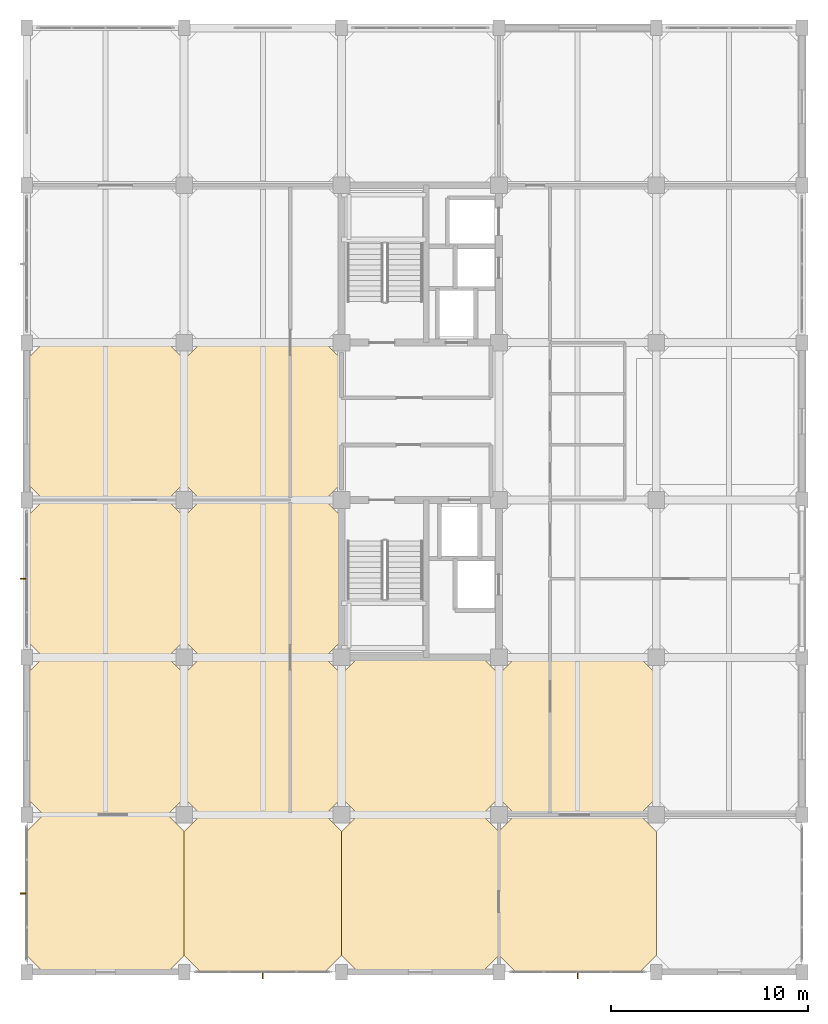
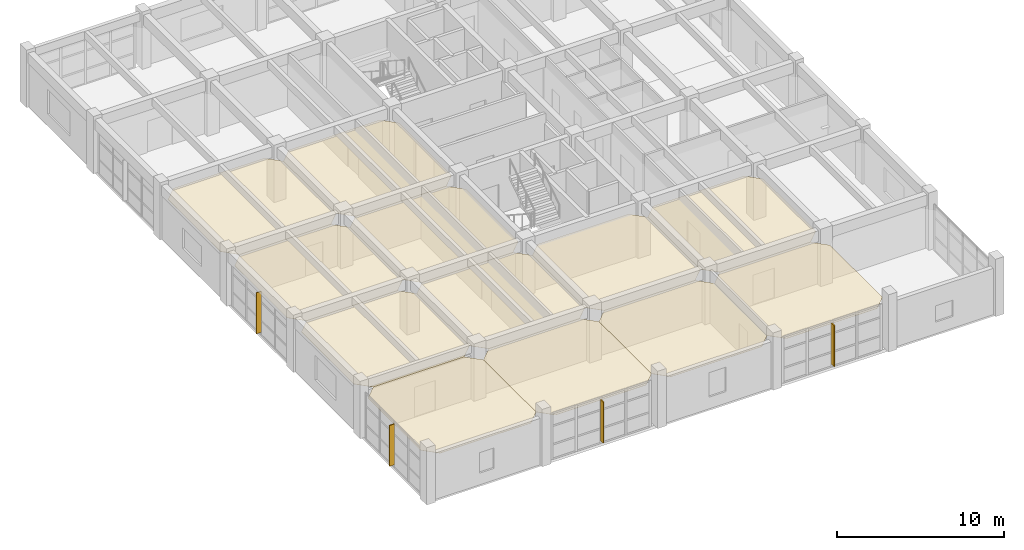
# One storey, part 24 of 27: 12 coverings, 4 shading devices.
"""IFC4 building model written with IfcOpenShell, lengths in metres."""

from ifc_helpers import new_model, si_unit, direction, frame, origin, origin_2d, place, context, subcontext, project, spatial, polyline, rectangle, outline, extrude, material, layer, layer_set, type_object, element, save


model = new_model("IFC4")

# Units and contexts
model_context = context("Model", 3, precision=1e-05, world=origin(), true_north=direction((0.0, 1.0)))
body_context = subcontext(model_context, "Body", "Model", "MODEL_VIEW")
ifc_project = project(units=[si_unit("LENGTHUNIT", "METRE"), si_unit("AREAUNIT", "SQUARE_METRE"), si_unit("VOLUMEUNIT", "CUBIC_METRE"), si_unit("PLANEANGLEUNIT", "RADIAN"), si_unit("MASSUNIT", "GRAM", prefix="KILO")], contexts=[model_context])

# Site, building, storey
site_placement = place(None, origin())
site = spatial("IfcSite", under=ifc_project, at=site_placement, CompositionType="ELEMENT")
building_placement = place(site_placement, origin())
building = spatial("IfcBuilding", under=site, at=building_placement, Name="Canggui Botanical Conservatory", CompositionType="ELEMENT")
storey_placement = place(building_placement, frame((0.0, 0.0, 23.39990234375)))
storey = spatial("IfcBuildingStorey", under=building, at=storey_placement, Name="L06", CompositionType="ELEMENT", Elevation=23.39990234375)

# Coverings
ifc_material_1 = material(Name="Mineral Fibre Acoustic Board")
ifc_layer_1 = layer(ifc_material_1, 0.014892578125, Name="Mineral Fibre Acoustic Board")
ifc_layer_set_1 = layer_set([ifc_layer_1], Name="Mineral Fibre Acoustic Board")
covering_type_1 = type_object("IfcCoveringType", Name="COV-CEIL-15", PredefinedType="CEILING", material=ifc_layer_set_1)
covering_1_placement = place(storey_placement, frame((0.0, 0.0, 3.14501953125)))
element("IfcCovering", 1, at=covering_1_placement, inside=storey, type_object=covering_type_1, Name="Suspended Acoustic Ceiling L06-138-26", PredefinedType="CEILING", context=body_context, shape_type="SweptSolid", body=[
    extrude(outline(polyline([(138.85009765625, 26.0), (145.14990234375, 26.0), (146.0, 26.85009765625), (146.0, 33.14990234375), (145.14990234375, 34.0), (138.85009765625, 34.0), (138.0, 33.14990234375), (138.0, 26.85009765625), (138.85009765625, 26.0)])), origin(), (0.0, 0.0, 1.0), 0.01513671875),
])
covering_2_placement = place(storey_placement, frame((0.0, 0.0, 3.14501953125)))
element("IfcCovering", 2, at=covering_2_placement, inside=storey, type_object=covering_type_1, Name="Suspended Acoustic Ceiling L06-138-42", PredefinedType="CEILING", context=body_context, shape_type="SweptSolid", body=[
    extrude(outline(polyline([(138.85009765625, 42.0), (145.14990234375, 42.0), (146.0, 42.85009765625), (146.0, 49.14990234375), (145.14990234375, 50.0), (138.85009765625, 50.0), (138.0, 49.14990234375), (138.0, 42.85009765625), (138.85009765625, 42.0)])), origin(), (0.0, 0.0, 1.0), 0.01513671875),
])
covering_3_placement = place(storey_placement, frame((0.0, 0.0, 3.14501953125)))
element("IfcCovering", 3, at=covering_3_placement, inside=storey, type_object=covering_type_1, Name="Suspended Acoustic Ceiling L06-146-34", PredefinedType="CEILING", context=body_context, shape_type="SweptSolid", body=[
    extrude(outline(polyline([(146.85009765625, 34.0), (153.14990234375, 34.0), (154.0, 34.85009765625), (154.0, 41.14990234375), (153.14990234375, 42.0), (146.85009765625, 42.0), (146.0, 41.14990234375), (146.0, 34.85009765625), (146.85009765625, 34.0)])), origin(), (0.0, 0.0, 1.0), 0.01513671875),
])
covering_4_placement = place(storey_placement, frame((0.0, 0.0, 3.14501953125)))
element("IfcCovering", 4, at=covering_4_placement, inside=storey, type_object=covering_type_1, Name="Suspended Acoustic Ceiling L06-146-50", PredefinedType="CEILING", context=body_context, shape_type="SweptSolid", body=[
    extrude(outline(polyline([(146.85009765625, 50.0), (153.14990234375, 50.0), (154.0, 50.85009765625), (154.0, 57.14990234375), (153.14990234375, 58.0), (146.85009765625, 58.0), (146.0, 57.14990234375), (146.0, 50.85009765625), (146.85009765625, 50.0)])), origin(), (0.0, 0.0, 1.0), 0.01513671875),
])
covering_5_placement = place(storey_placement, frame((0.0, 0.0, 3.14501953125)))
element("IfcCovering", 5, at=covering_5_placement, inside=storey, type_object=covering_type_1, Name="Suspended Acoustic Ceiling L06-154-26", PredefinedType="CEILING", context=body_context, shape_type="SweptSolid", body=[
    extrude(outline(polyline([(154.85009765625, 26.0), (161.14990234375, 26.0), (162.0, 26.85009765625), (162.0, 33.14990234375), (161.14990234375, 34.0), (154.85009765625, 34.0), (154.0, 33.14990234375), (154.0, 26.85009765625), (154.85009765625, 26.0)])), origin(), (0.0, 0.0, 1.0), 0.01513671875),
])
covering_6_placement = place(storey_placement, frame((0.0, 0.0, 3.14501953125)))
element("IfcCovering", 6, at=covering_6_placement, inside=storey, type_object=covering_type_1, Name="Suspended Acoustic Ceiling L06-162-34", PredefinedType="CEILING", context=body_context, shape_type="SweptSolid", body=[
    extrude(outline(polyline([(162.85009765625, 34.0), (169.14990234375, 34.0), (170.0, 34.85009765625), (170.0, 41.14990234375), (169.14990234375, 42.0), (162.85009765625, 42.0), (162.0, 41.14990234375), (162.0, 34.85009765625), (162.85009765625, 34.0)])), origin(), (0.0, 0.0, 1.0), 0.01513671875),
])
ifc_material_2 = material(Name="Perforated Gypsum Acoustic Panel")
ifc_layer_2 = layer(ifc_material_2, 0.02001953125, Name="Perforated Gypsum Acoustic Panel")
ifc_layer_set_2 = layer_set([ifc_layer_2], Name="Perforated Gypsum Acoustic Panel")
covering_type_2 = type_object("IfcCoveringType", Name="COV-CEIL-20", PredefinedType="CEILING", material=ifc_layer_set_2)
covering_7_placement = place(storey_placement, frame((0.0, 0.0, 3.14013671875)))
element("IfcCovering", 7, at=covering_7_placement, inside=storey, type_object=covering_type_2, Name="Suspended Acoustic Ceiling L06-138-34", PredefinedType="CEILING", context=body_context, shape_type="SweptSolid", body=[
    extrude(outline(polyline([(138.85009765625, 34.0), (145.14990234375, 34.0), (146.0, 34.85009765625), (146.0, 41.14990234375), (145.14990234375, 42.0), (138.85009765625, 42.0), (138.0, 41.14990234375), (138.0, 34.85009765625), (138.85009765625, 34.0)])), origin(), (0.0, 0.0, 1.0), 0.02001953125),
])
covering_8_placement = place(storey_placement, frame((0.0, 0.0, 3.14013671875)))
element("IfcCovering", 8, at=covering_8_placement, inside=storey, type_object=covering_type_2, Name="Suspended Acoustic Ceiling L06-138-50", PredefinedType="CEILING", context=body_context, shape_type="SweptSolid", body=[
    extrude(outline(polyline([(138.85009765625, 50.0), (145.14990234375, 50.0), (146.0, 50.85009765625), (146.0, 57.14990234375), (145.14990234375, 58.0), (138.85009765625, 58.0), (138.0, 57.14990234375), (138.0, 50.85009765625), (138.85009765625, 50.0)])), origin(), (0.0, 0.0, 1.0), 0.02001953125),
])
covering_9_placement = place(storey_placement, frame((0.0, 0.0, 3.14013671875)))
element("IfcCovering", 9, at=covering_9_placement, inside=storey, type_object=covering_type_2, Name="Suspended Acoustic Ceiling L06-146-26", PredefinedType="CEILING", context=body_context, shape_type="SweptSolid", body=[
    extrude(outline(polyline([(146.85009765625, 26.0), (153.14990234375, 26.0), (154.0, 26.85009765625), (154.0, 33.14990234375), (153.14990234375, 34.0), (146.85009765625, 34.0), (146.0, 33.14990234375), (146.0, 26.85009765625), (146.85009765625, 26.0)])), origin(), (0.0, 0.0, 1.0), 0.02001953125),
])
covering_10_placement = place(storey_placement, frame((0.0, 0.0, 3.14013671875)))
element("IfcCovering", 10, at=covering_10_placement, inside=storey, type_object=covering_type_2, Name="Suspended Acoustic Ceiling L06-146-42", PredefinedType="CEILING", context=body_context, shape_type="SweptSolid", body=[
    extrude(outline(polyline([(146.85009765625, 42.0), (153.14990234375, 42.0), (154.0, 42.85009765625), (154.0, 49.14990234375), (153.14990234375, 50.0), (146.85009765625, 50.0), (146.0, 49.14990234375), (146.0, 42.85009765625), (146.85009765625, 42.0)])), origin(), (0.0, 0.0, 1.0), 0.02001953125),
])
covering_11_placement = place(storey_placement, frame((0.0, 0.0, 3.14013671875)))
element("IfcCovering", 11, at=covering_11_placement, inside=storey, type_object=covering_type_2, Name="Suspended Acoustic Ceiling L06-154-34", PredefinedType="CEILING", context=body_context, shape_type="SweptSolid", body=[
    extrude(outline(polyline([(154.85009765625, 34.0), (161.14990234375, 34.0), (162.0, 34.85009765625), (162.0, 41.14990234375), (161.14990234375, 42.0), (154.85009765625, 42.0), (154.0, 41.14990234375), (154.0, 34.85009765625), (154.85009765625, 34.0)])), origin(), (0.0, 0.0, 1.0), 0.02001953125),
])
covering_12_placement = place(storey_placement, frame((0.0, 0.0, 3.14013671875)))
element("IfcCovering", 12, at=covering_12_placement, inside=storey, type_object=covering_type_2, Name="Suspended Acoustic Ceiling L06-162-26", PredefinedType="CEILING", context=body_context, shape_type="SweptSolid", body=[
    extrude(outline(polyline([(162.85009765625, 26.0), (169.14990234375, 26.0), (170.0, 26.85009765625), (170.0, 33.14990234375), (169.14990234375, 34.0), (162.85009765625, 34.0), (162.0, 33.14990234375), (162.0, 26.85009765625), (162.85009765625, 26.0)])), origin(), (0.0, 0.0, 1.0), 0.02001953125),
])

# Shading devices
ifc_material_3 = material(Name="Anodised Aluminium", Category="aluminium")
shading_device_type = type_object("IfcShadingDeviceType", Name="SHD-FIN02", PredefinedType="AWNING", material=ifc_material_3)
for number, where, z_axis, x_axis, name in (
    (13, (166.0, 25.8349609375, 0.2001953125), (0.0, 0.0, 1.0), (-1.0, 0.0, 0.0), "Solar Shading Fin CW-TWR-L06-02"),
    (14, (150.0, 25.8349609375, 0.2001953125), (0.0, 0.0, 1.0), (-1.0, 0.0, 0.0), "Solar Shading Fin CW-TWR-L06-04"),
    (15, (137.8349609375, 30.0, 0.2001953125), (0.0, 0.0, 1.0), (0.0, 1.0, 0.0), "Solar Shading Fin CW-TWR-L06-06"),
    (16, (137.8349609375, 46.0, 0.2001953125), (0.0, 0.0, 1.0), (0.0, 1.0, 0.0), "Solar Shading Fin CW-TWR-L06-08"),
):
    element("IfcShadingDevice", number, at=place(storey_placement, frame(where, z_axis=z_axis, x_axis=x_axis)), inside=storey, type_object=shading_device_type, Name=name, PredefinedType="AWNING", context=body_context, shape_type="SweptSolid", body=[
        extrude(rectangle(XDim=0.06005859375, YDim=0.360107421875, at=origin_2d()), origin(), (0.0, 0.0, 1.0), 3.0),
    ])

save(model, "model.ifc")
